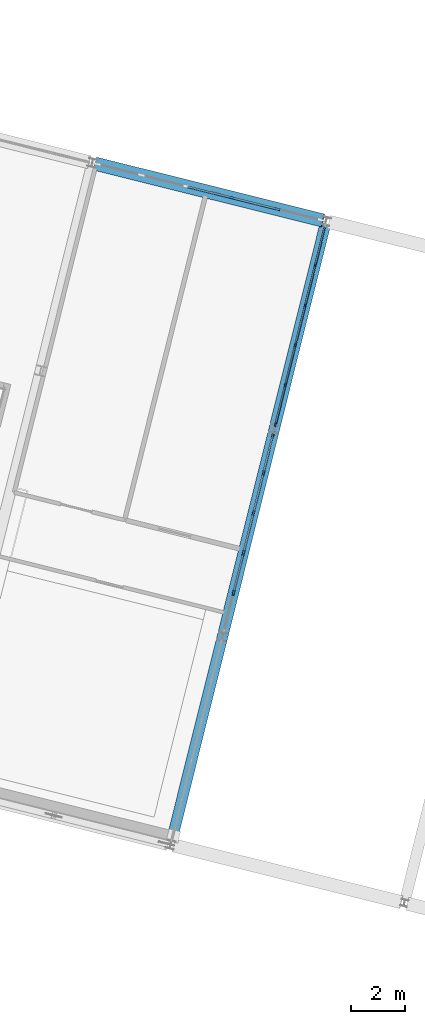
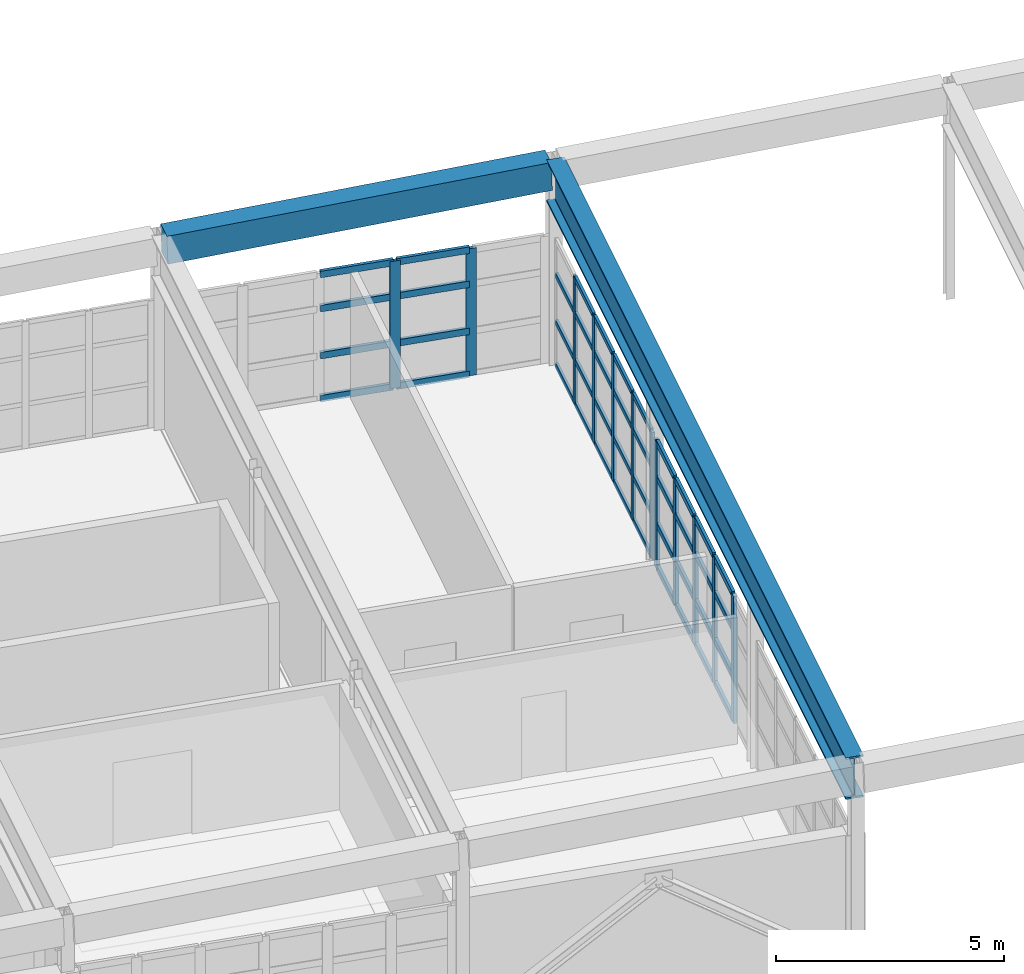
# One storey, part 14 of 27: 55 members, 2 beams, 3 elements without a shape of their own.
"""IFC4 building model written with IfcOpenShell, lengths in metres."""

from ifc_helpers import new_model, si_unit, direction, frame, origin, origin_2d, place, context, subcontext, project, spatial, rectangle, i_section, extrude, material, layer, layer_set, material_profile, profile_set, type_object, element, aggregate, save


model = new_model("IFC4")

# Units and contexts
model_context = context("Model", 3, precision=1e-05, world=origin(), true_north=direction((0.0, 1.0)))
body_context = subcontext(model_context, "Body", "Model", "MODEL_VIEW")
ifc_project = project(units=[si_unit("LENGTHUNIT", "METRE"), si_unit("AREAUNIT", "SQUARE_METRE"), si_unit("VOLUMEUNIT", "CUBIC_METRE"), si_unit("PLANEANGLEUNIT", "RADIAN"), si_unit("MASSUNIT", "GRAM", prefix="KILO")], contexts=[model_context])

# Site, building, storey
site_placement = place(None, origin())
site = spatial("IfcSite", under=ifc_project, at=site_placement, CompositionType="ELEMENT")
building_placement = place(site_placement, origin())
building = spatial("IfcBuilding", under=site, at=building_placement, Name="Vireo Bluff Cable Station", CompositionType="ELEMENT")
storey_placement = place(building_placement, frame((0.0, 0.0, 19.199951171875)))
storey = spatial("IfcBuildingStorey", under=building, at=storey_placement, Name="L04", CompositionType="ELEMENT", Elevation=19.199951171875)

# Curtain wall, members
ifc_material_1 = material(Name="Anodized Aluminium 6063-T6", Category="aluminium")
ifc_layer_1 = layer(ifc_material_1, 0.179931640625, Name="Anodized Aluminium 6063-T6")
ifc_layer_set_1 = layer_set([ifc_layer_1], Name="Anodized Aluminium 6063-T6")
curtain_wall_type_1 = type_object("IfcCurtainWallType", Name="CW-UNIT-1400", PredefinedType="USERDEFINED", material=ifc_layer_set_1)
curtain_wall_1_placement = place(storey_placement, origin())
curtain_wall_1 = element("IfcCurtainWall", 1, at=curtain_wall_1_placement, inside=storey, type_object=curtain_wall_type_1, Name="V1 L04 east curtain wall CW-036", ObjectType="UNITISED CURTAIN WALL", PredefinedType="USERDEFINED")
ifc_material_profile_1 = material_profile(ifc_material_1, rectangle(XDim=0.06494140625, YDim=0.179931640625, at=origin_2d()), Name="ALU-M-65X180")
ifc_profile_set_1 = profile_set([ifc_material_profile_1], Name="Anodized Aluminium 6063-T6")
member_type_1 = type_object("IfcMemberType", Name="CWM-01", PredefinedType="MULLION", material=ifc_profile_set_1)
member_1_placement = place(storey_placement, frame((85.594482421875, 53.1123046875, 0.0), z_axis=(0.0, 0.0, 1.0), x_axis=(0.970295741396, -0.241921834956, 0.0)))
member_1 = element("IfcMember", 2, at=member_1_placement, type_object=member_type_1, Name="CW-036 mullion 2", PredefinedType="MULLION", context=body_context, shape_type="SweptSolid", body=[
    extrude(rectangle(XDim=0.06494140625, YDim=0.179931640625, at=origin_2d()), origin(), (0.0, 0.0, 1.0), 3.400146484375),
])
member_2_placement = place(storey_placement, frame((85.222412109375, 51.6201171875, 0.0), z_axis=(0.0, 0.0, 1.0), x_axis=(0.970295741396, -0.241921834956, 0.0)))
member_2 = element("IfcMember", 3, at=member_2_placement, type_object=member_type_1, Name="CW-036 mullion 3", PredefinedType="MULLION", context=body_context, shape_type="SweptSolid", body=[
    extrude(rectangle(XDim=0.06494140625, YDim=0.179931640625, at=origin_2d()), origin(), (0.0, 0.0, 1.0), 3.400146484375),
])
member_3_placement = place(storey_placement, frame((84.850341796875, 50.1279296875, 0.0), z_axis=(0.0, 0.0, 1.0), x_axis=(0.970295741396, -0.241921834956, 0.0)))
member_3 = element("IfcMember", 4, at=member_3_placement, type_object=member_type_1, Name="CW-036 mullion 4", PredefinedType="MULLION", context=body_context, shape_type="SweptSolid", body=[
    extrude(rectangle(XDim=0.06494140625, YDim=0.179931640625, at=origin_2d()), origin(), (0.0, 0.0, 1.0), 3.400146484375),
])
member_4_placement = place(storey_placement, frame((84.478271484375, 48.6357421875, 0.0), z_axis=(0.0, 0.0, 1.0), x_axis=(0.970295741396, -0.241921834956, 0.0)))
member_4 = element("IfcMember", 5, at=member_4_placement, type_object=member_type_1, Name="CW-036 mullion 5", PredefinedType="MULLION", context=body_context, shape_type="SweptSolid", body=[
    extrude(rectangle(XDim=0.06494140625, YDim=0.179931640625, at=origin_2d()), origin(), (0.0, 0.0, 1.0), 3.400146484375),
])
member_5_placement = place(storey_placement, frame((84.1142578125, 47.17529296875, 0.0), z_axis=(0.0, 0.0, 1.0), x_axis=(0.970295741396, -0.241921834956, 0.0)))
member_5 = element("IfcMember", 6, at=member_5_placement, type_object=member_type_1, Name="CW-036 mullion 6", PredefinedType="MULLION", context=body_context, shape_type="SweptSolid", body=[
    extrude(rectangle(XDim=0.06494140625, YDim=0.179931640625, at=origin_2d()), origin(), (0.0, 0.0, 1.0), 3.400146484375),
])

ifc_layer_2 = layer(ifc_material_1, 0.179931640625, Name="Anodized Aluminium 6063-T6")
ifc_layer_set_2 = layer_set([ifc_layer_2], Name="Anodized Aluminium 6063-T6")
curtain_wall_type_2 = type_object("IfcCurtainWallType", Name="CW-UNIT-1500", PredefinedType="USERDEFINED", material=ifc_layer_set_2)
curtain_wall_2_placement = place(storey_placement, origin())
curtain_wall_2 = element("IfcCurtainWall", 7, at=curtain_wall_2_placement, inside=storey, type_object=curtain_wall_type_2, Name="V1 L04 east curtain wall CW-037", ObjectType="UNITISED CURTAIN WALL", PredefinedType="USERDEFINED")
ifc_material_profile_2 = material_profile(ifc_material_1, rectangle(XDim=0.074951171875, YDim=0.2099609375, at=origin_2d()), Name="ALU-M-75X210")
ifc_profile_set_2 = profile_set([ifc_material_profile_2], Name="Anodized Aluminium 6063-T6")
member_type_2 = type_object("IfcMemberType", Name="CWM-02", PredefinedType="MULLION", material=ifc_profile_set_2)
member_6_placement = place(storey_placement, frame((84.02197265625, 46.8056640625, 0.0), z_axis=(0.0, 0.0, 1.0), x_axis=(0.970295733788, -0.241921865473, 0.0)))
member_6 = element("IfcMember", 8, at=member_6_placement, type_object=member_type_2, Name="CW-037 mullion 1", PredefinedType="MULLION", context=body_context, shape_type="SweptSolid", body=[
    extrude(rectangle(XDim=0.074951171875, YDim=0.2099609375, at=origin_2d()), origin(), (0.0, 0.0, 1.0), 3.400146484375),
])
member_7_placement = place(storey_placement, frame((83.6591796875, 45.349853515625, 0.0), z_axis=(0.0, 0.0, 1.0), x_axis=(0.970295733788, -0.241921865473, 0.0)))
member_7 = element("IfcMember", 9, at=member_7_placement, type_object=member_type_2, Name="CW-037 mullion 2", PredefinedType="MULLION", context=body_context, shape_type="SweptSolid", body=[
    extrude(rectangle(XDim=0.074951171875, YDim=0.2099609375, at=origin_2d()), origin(), (0.0, 0.0, 1.0), 3.400146484375),
])
member_8_placement = place(storey_placement, frame((83.287109375, 43.857666015625, 0.0), z_axis=(0.0, 0.0, 1.0), x_axis=(0.970295733788, -0.241921865473, 0.0)))
member_8 = element("IfcMember", 10, at=member_8_placement, type_object=member_type_2, Name="CW-037 mullion 3", PredefinedType="MULLION", context=body_context, shape_type="SweptSolid", body=[
    extrude(rectangle(XDim=0.074951171875, YDim=0.2099609375, at=origin_2d()), origin(), (0.0, 0.0, 1.0), 3.400146484375),
])
member_9_placement = place(storey_placement, frame((82.9150390625, 42.365478515625, 0.0), z_axis=(0.0, 0.0, 1.0), x_axis=(0.970295733788, -0.241921865473, 0.0)))
member_9 = element("IfcMember", 11, at=member_9_placement, type_object=member_type_2, Name="CW-037 mullion 4", PredefinedType="MULLION", context=body_context, shape_type="SweptSolid", body=[
    extrude(rectangle(XDim=0.074951171875, YDim=0.2099609375, at=origin_2d()), origin(), (0.0, 0.0, 1.0), 3.400146484375),
])
member_10_placement = place(storey_placement, frame((82.54296875, 40.87353515625, 0.0), z_axis=(0.0, 0.0, 1.0), x_axis=(0.970295733788, -0.241921865473, 0.0)))
member_10 = element("IfcMember", 12, at=member_10_placement, type_object=member_type_2, Name="CW-037 mullion 5", PredefinedType="MULLION", context=body_context, shape_type="SweptSolid", body=[
    extrude(rectangle(XDim=0.074951171875, YDim=0.2099609375, at=origin_2d()), origin(), (0.0, 0.0, 1.0), 3.400146484375),
])

ifc_layer_3 = layer(ifc_material_1, 0.179931640625, Name="Anodized Aluminium 6063-T6")
ifc_layer_set_3 = layer_set([ifc_layer_3], Name="Anodized Aluminium 6063-T6")
curtain_wall_type_3 = type_object("IfcCurtainWallType", Name="CW-UNIT-1650", PredefinedType="USERDEFINED", material=ifc_layer_set_3)
curtain_wall_3_placement = place(storey_placement, origin())
curtain_wall_3 = element("IfcCurtainWall", 13, at=curtain_wall_3_placement, inside=storey, type_object=curtain_wall_type_3, Name="V1 L04 north curtain wall CW-035", ObjectType="UNITISED CURTAIN WALL", PredefinedType="USERDEFINED")
ifc_material_profile_3 = material_profile(ifc_material_1, rectangle(XDim=0.080078125, YDim=0.239990234375, at=origin_2d()), Name="ALU-M-80X240")
ifc_profile_set_3 = profile_set([ifc_material_profile_3], Name="Anodized Aluminium 6063-T6")
member_type_3 = type_object("IfcMemberType", Name="CWM-04", PredefinedType="MULLION", material=ifc_profile_set_3)
member_11_placement = place(storey_placement, frame((82.48095703125, 55.633544921875, 0.0), z_axis=(0.0, 0.0, 1.0), x_axis=(0.241921878749, 0.970295730477, 0.0)))
member_11 = element("IfcMember", 14, at=member_11_placement, type_object=member_type_3, Name="CW-035 mullion 4", PredefinedType="MULLION", context=body_context, shape_type="SweptSolid", body=[
    extrude(rectangle(XDim=0.080078125, YDim=0.239990234375, at=origin_2d()), origin(), (0.0, 0.0, 1.0), 3.400146484375),
])
member_12_placement = place(storey_placement, frame((84.167724609375, 55.213134765625, 0.0), z_axis=(0.0, 0.0, 1.0), x_axis=(0.241921878749, 0.970295730477, 0.0)))
member_12 = element("IfcMember", 15, at=member_12_placement, type_object=member_type_3, Name="CW-035 mullion 5", PredefinedType="MULLION", context=body_context, shape_type="SweptSolid", body=[
    extrude(rectangle(XDim=0.080078125, YDim=0.239990234375, at=origin_2d()), origin(), (0.0, 0.0, 1.0), 3.400146484375),
])

# Member
ifc_material_profile_4 = material_profile(ifc_material_1, rectangle(XDim=0.06494140625, YDim=0.139892578125, at=origin_2d()), Name="ALU-T-65X140")
ifc_profile_set_4 = profile_set([ifc_material_profile_4], Name="Anodized Aluminium 6063-T6")
member_type_4 = type_object("IfcMemberType", Name="CWT-01", PredefinedType="USERDEFINED", material=ifc_profile_set_4)
member_13_placement = place(storey_placement, frame((85.95068359375, 54.541259765625, 0.032470703125), z_axis=(-0.241897399777, -0.970301833442, 0.0), x_axis=(0.970301833442, -0.241897399777, 0.0)))
member_13 = element("IfcMember", 16, at=member_13_placement, type_object=member_type_4, Name="CW-036 transom 1.1", ObjectType="TRANSOM", PredefinedType="USERDEFINED", context=body_context, shape_type="SweptSolid", body=[
    extrude(rectangle(XDim=0.06494140625, YDim=0.139892578125, at=origin_2d()), origin(), (0.0, 0.0, 1.0), 1.440185546875),
])

member_14_placement = place(storey_placement, frame((85.95068359375, 54.541259765625, 1.18994140625), z_axis=(-0.241897399777, -0.970301833442, 0.0), x_axis=(0.970301833442, -0.241897399777, 0.0)))
member_14 = element("IfcMember", 17, at=member_14_placement, type_object=member_type_4, Name="CW-036 transom 1.2", ObjectType="TRANSOM", PredefinedType="USERDEFINED", context=body_context, shape_type="SweptSolid", body=[
    extrude(rectangle(XDim=0.06494140625, YDim=0.139892578125, at=origin_2d()), origin(), (0.0, 0.0, 1.0), 1.440185546875),
])

member_15_placement = place(storey_placement, frame((85.95068359375, 54.541259765625, 2.447998046875), z_axis=(-0.241897399777, -0.970301833442, 0.0), x_axis=(0.970301833442, -0.241897399777, 0.0)))
member_15 = element("IfcMember", 18, at=member_15_placement, type_object=member_type_4, Name="CW-036 transom 1.3", ObjectType="TRANSOM", PredefinedType="USERDEFINED", context=body_context, shape_type="SweptSolid", body=[
    extrude(rectangle(XDim=0.06494140625, YDim=0.139892578125, at=origin_2d()), origin(), (0.0, 0.0, 1.0), 1.440185546875),
])

member_16_placement = place(storey_placement, frame((85.586669921875, 53.08056640625, 0.032470703125), z_axis=(-0.242028521676, -0.970269135186, 0.0), x_axis=(0.970269135186, -0.242028521676, 0.0)))
member_16 = element("IfcMember", 19, at=member_16_placement, type_object=member_type_4, Name="CW-036 transom 2.1", ObjectType="TRANSOM", PredefinedType="USERDEFINED", context=body_context, shape_type="SweptSolid", body=[
    extrude(rectangle(XDim=0.06494140625, YDim=0.139892578125, at=origin_2d()), origin(), (0.0, 0.0, 1.0), 1.47265625),
])

member_17_placement = place(storey_placement, frame((85.586669921875, 53.08056640625, 1.18994140625), z_axis=(-0.242028521676, -0.970269135186, 0.0), x_axis=(0.970269135186, -0.242028521676, 0.0)))
member_17 = element("IfcMember", 20, at=member_17_placement, type_object=member_type_4, Name="CW-036 transom 2.2", ObjectType="TRANSOM", PredefinedType="USERDEFINED", context=body_context, shape_type="SweptSolid", body=[
    extrude(rectangle(XDim=0.06494140625, YDim=0.139892578125, at=origin_2d()), origin(), (0.0, 0.0, 1.0), 1.47265625),
])

member_18_placement = place(storey_placement, frame((85.586669921875, 53.08056640625, 2.447998046875), z_axis=(-0.242028521676, -0.970269135186, 0.0), x_axis=(0.970269135186, -0.242028521676, 0.0)))
member_18 = element("IfcMember", 21, at=member_18_placement, type_object=member_type_4, Name="CW-036 transom 2.3", ObjectType="TRANSOM", PredefinedType="USERDEFINED", context=body_context, shape_type="SweptSolid", body=[
    extrude(rectangle(XDim=0.06494140625, YDim=0.139892578125, at=origin_2d()), origin(), (0.0, 0.0, 1.0), 1.47265625),
])

member_19_placement = place(storey_placement, frame((85.586669921875, 53.08056640625, 3.367431640625), z_axis=(-0.242028521676, -0.970269135186, 0.0), x_axis=(0.970269135186, -0.242028521676, 0.0)))
member_19 = element("IfcMember", 22, at=member_19_placement, type_object=member_type_4, Name="CW-036 transom 2.4", ObjectType="TRANSOM", PredefinedType="USERDEFINED", context=body_context, shape_type="SweptSolid", body=[
    extrude(rectangle(XDim=0.06494140625, YDim=0.139892578125, at=origin_2d()), origin(), (0.0, 0.0, 1.0), 1.47265625),
])

member_20_placement = place(storey_placement, frame((85.214599609375, 51.588623046875, 0.032470703125), z_axis=(-0.241989598813, -0.97027884346, 0.0), x_axis=(0.97027884346, -0.241989598813, 0.0)))
member_20 = element("IfcMember", 23, at=member_20_placement, type_object=member_type_4, Name="CW-036 transom 3.1", ObjectType="TRANSOM", PredefinedType="USERDEFINED", context=body_context, shape_type="SweptSolid", body=[
    extrude(rectangle(XDim=0.06494140625, YDim=0.139892578125, at=origin_2d()), origin(), (0.0, 0.0, 1.0), 1.472900390625),
])

member_21_placement = place(storey_placement, frame((85.214599609375, 51.588623046875, 1.18994140625), z_axis=(-0.241989598813, -0.97027884346, 0.0), x_axis=(0.97027884346, -0.241989598813, 0.0)))
member_21 = element("IfcMember", 24, at=member_21_placement, type_object=member_type_4, Name="CW-036 transom 3.2", ObjectType="TRANSOM", PredefinedType="USERDEFINED", context=body_context, shape_type="SweptSolid", body=[
    extrude(rectangle(XDim=0.06494140625, YDim=0.139892578125, at=origin_2d()), origin(), (0.0, 0.0, 1.0), 1.472900390625),
])

member_22_placement = place(storey_placement, frame((85.214599609375, 51.588623046875, 2.447998046875), z_axis=(-0.241989598813, -0.97027884346, 0.0), x_axis=(0.97027884346, -0.241989598813, 0.0)))
member_22 = element("IfcMember", 25, at=member_22_placement, type_object=member_type_4, Name="CW-036 transom 3.3", ObjectType="TRANSOM", PredefinedType="USERDEFINED", context=body_context, shape_type="SweptSolid", body=[
    extrude(rectangle(XDim=0.06494140625, YDim=0.139892578125, at=origin_2d()), origin(), (0.0, 0.0, 1.0), 1.472900390625),
])

member_23_placement = place(storey_placement, frame((85.214599609375, 51.588623046875, 3.367431640625), z_axis=(-0.241989598813, -0.97027884346, 0.0), x_axis=(0.97027884346, -0.241989598813, 0.0)))
member_23 = element("IfcMember", 26, at=member_23_placement, type_object=member_type_4, Name="CW-036 transom 3.4", ObjectType="TRANSOM", PredefinedType="USERDEFINED", context=body_context, shape_type="SweptSolid", body=[
    extrude(rectangle(XDim=0.06494140625, YDim=0.139892578125, at=origin_2d()), origin(), (0.0, 0.0, 1.0), 1.472900390625),
])

member_24_placement = place(storey_placement, frame((84.842529296875, 50.096435546875, 0.032470703125), z_axis=(-0.241872449942, -0.970308053125, 0.0), x_axis=(0.970308053125, -0.241872449942, 0.0)))
member_24 = element("IfcMember", 27, at=member_24_placement, type_object=member_type_4, Name="CW-036 transom 4.1", ObjectType="TRANSOM", PredefinedType="USERDEFINED", context=body_context, shape_type="SweptSolid", body=[
    extrude(rectangle(XDim=0.06494140625, YDim=0.139892578125, at=origin_2d()), origin(), (0.0, 0.0, 1.0), 1.47265625),
])

member_25_placement = place(storey_placement, frame((84.842529296875, 50.096435546875, 1.18994140625), z_axis=(-0.241872449942, -0.970308053125, 0.0), x_axis=(0.970308053125, -0.241872449942, 0.0)))
member_25 = element("IfcMember", 28, at=member_25_placement, type_object=member_type_4, Name="CW-036 transom 4.2", ObjectType="TRANSOM", PredefinedType="USERDEFINED", context=body_context, shape_type="SweptSolid", body=[
    extrude(rectangle(XDim=0.06494140625, YDim=0.139892578125, at=origin_2d()), origin(), (0.0, 0.0, 1.0), 1.47265625),
])

member_26_placement = place(storey_placement, frame((84.842529296875, 50.096435546875, 2.447998046875), z_axis=(-0.241872449942, -0.970308053125, 0.0), x_axis=(0.970308053125, -0.241872449942, 0.0)))
member_26 = element("IfcMember", 29, at=member_26_placement, type_object=member_type_4, Name="CW-036 transom 4.3", ObjectType="TRANSOM", PredefinedType="USERDEFINED", context=body_context, shape_type="SweptSolid", body=[
    extrude(rectangle(XDim=0.06494140625, YDim=0.139892578125, at=origin_2d()), origin(), (0.0, 0.0, 1.0), 1.47265625),
])

member_27_placement = place(storey_placement, frame((84.842529296875, 50.096435546875, 3.367431640625), z_axis=(-0.241872449942, -0.970308053125, 0.0), x_axis=(0.970308053125, -0.241872449942, 0.0)))
member_27 = element("IfcMember", 30, at=member_27_placement, type_object=member_type_4, Name="CW-036 transom 4.4", ObjectType="TRANSOM", PredefinedType="USERDEFINED", context=body_context, shape_type="SweptSolid", body=[
    extrude(rectangle(XDim=0.06494140625, YDim=0.139892578125, at=origin_2d()), origin(), (0.0, 0.0, 1.0), 1.47265625),
])

member_28_placement = place(storey_placement, frame((84.470458984375, 48.604248046875, 0.032470703125), z_axis=(-0.241897399777, -0.970301833442, 0.0), x_axis=(0.970301833442, -0.241897399777, 0.0)))
member_28 = element("IfcMember", 31, at=member_28_placement, type_object=member_type_4, Name="CW-036 transom 5.1", ObjectType="TRANSOM", PredefinedType="USERDEFINED", context=body_context, shape_type="SweptSolid", body=[
    extrude(rectangle(XDim=0.06494140625, YDim=0.139892578125, at=origin_2d()), origin(), (0.0, 0.0, 1.0), 1.440185546875),
])

member_29_placement = place(storey_placement, frame((84.470458984375, 48.604248046875, 1.18994140625), z_axis=(-0.241897399777, -0.970301833442, 0.0), x_axis=(0.970301833442, -0.241897399777, 0.0)))
member_29 = element("IfcMember", 32, at=member_29_placement, type_object=member_type_4, Name="CW-036 transom 5.2", ObjectType="TRANSOM", PredefinedType="USERDEFINED", context=body_context, shape_type="SweptSolid", body=[
    extrude(rectangle(XDim=0.06494140625, YDim=0.139892578125, at=origin_2d()), origin(), (0.0, 0.0, 1.0), 1.440185546875),
])

member_30_placement = place(storey_placement, frame((84.470458984375, 48.604248046875, 2.447998046875), z_axis=(-0.241897399777, -0.970301833442, 0.0), x_axis=(0.970301833442, -0.241897399777, 0.0)))
member_30 = element("IfcMember", 33, at=member_30_placement, type_object=member_type_4, Name="CW-036 transom 5.3", ObjectType="TRANSOM", PredefinedType="USERDEFINED", context=body_context, shape_type="SweptSolid", body=[
    extrude(rectangle(XDim=0.06494140625, YDim=0.139892578125, at=origin_2d()), origin(), (0.0, 0.0, 1.0), 1.440185546875),
])

member_31_placement = place(storey_placement, frame((84.470458984375, 48.604248046875, 3.367431640625), z_axis=(-0.241897399777, -0.970301833442, 0.0), x_axis=(0.970301833442, -0.241897399777, 0.0)))
member_31 = element("IfcMember", 34, at=member_31_placement, type_object=member_type_4, Name="CW-036 transom 5.4", ObjectType="TRANSOM", PredefinedType="USERDEFINED", context=body_context, shape_type="SweptSolid", body=[
    extrude(rectangle(XDim=0.06494140625, YDim=0.139892578125, at=origin_2d()), origin(), (0.0, 0.0, 1.0), 1.440185546875),
])

aggregate(curtain_wall_1, [member_1, member_2, member_3, member_4, member_5, member_13, member_14, member_15, member_16, member_17, member_18, member_19, member_20, member_21, member_22, member_23, member_24, member_25, member_26, member_27, member_28, member_29, member_30, member_31])

ifc_material_profile_5 = material_profile(ifc_material_1, rectangle(XDim=0.074951171875, YDim=0.159912109375, at=origin_2d()), Name="ALU-T-75X160")
ifc_profile_set_5 = profile_set([ifc_material_profile_5], Name="Anodized Aluminium 6063-T6")
member_type_5 = type_object("IfcMemberType", Name="CWT-02", PredefinedType="USERDEFINED", material=ifc_profile_set_5)
member_32_placement = place(storey_placement, frame((84.012939453125, 46.769287109375, 0.03759765625), z_axis=(-0.241850435842, -0.9703135404, 0.0), x_axis=(0.9703135404, -0.241850435842, 0.0)))
member_32 = element("IfcMember", 35, at=member_32_placement, type_object=member_type_5, Name="CW-037 transom 1.1", ObjectType="TRANSOM", PredefinedType="USERDEFINED", context=body_context, shape_type="SweptSolid", body=[
    extrude(rectangle(XDim=0.074951171875, YDim=0.159912109375, at=origin_2d()), origin(), (0.0, 0.0, 1.0), 1.42529296875),
])

member_33_placement = place(storey_placement, frame((84.012939453125, 46.769287109375, 1.18994140625), z_axis=(-0.241850435842, -0.9703135404, 0.0), x_axis=(0.9703135404, -0.241850435842, 0.0)))
member_33 = element("IfcMember", 36, at=member_33_placement, type_object=member_type_5, Name="CW-037 transom 1.2", ObjectType="TRANSOM", PredefinedType="USERDEFINED", context=body_context, shape_type="SweptSolid", body=[
    extrude(rectangle(XDim=0.074951171875, YDim=0.159912109375, at=origin_2d()), origin(), (0.0, 0.0, 1.0), 1.42529296875),
])

member_34_placement = place(storey_placement, frame((84.012939453125, 46.769287109375, 2.447998046875), z_axis=(-0.241850435842, -0.9703135404, 0.0), x_axis=(0.9703135404, -0.241850435842, 0.0)))
member_34 = element("IfcMember", 37, at=member_34_placement, type_object=member_type_5, Name="CW-037 transom 1.3", ObjectType="TRANSOM", PredefinedType="USERDEFINED", context=body_context, shape_type="SweptSolid", body=[
    extrude(rectangle(XDim=0.074951171875, YDim=0.159912109375, at=origin_2d()), origin(), (0.0, 0.0, 1.0), 1.42529296875),
])

member_35_placement = place(storey_placement, frame((84.012939453125, 46.769287109375, 3.362548828125), z_axis=(-0.241850435842, -0.9703135404, 0.0), x_axis=(0.9703135404, -0.241850435842, 0.0)))
member_35 = element("IfcMember", 38, at=member_35_placement, type_object=member_type_5, Name="CW-037 transom 1.4", ObjectType="TRANSOM", PredefinedType="USERDEFINED", context=body_context, shape_type="SweptSolid", body=[
    extrude(rectangle(XDim=0.074951171875, YDim=0.159912109375, at=origin_2d()), origin(), (0.0, 0.0, 1.0), 1.42529296875),
])

member_36_placement = place(storey_placement, frame((83.64990234375, 45.3134765625, 0.03759765625), z_axis=(-0.241828717497, -0.970318953434, 0.0), x_axis=(0.970318953434, -0.241828717497, 0.0)))
member_36 = element("IfcMember", 39, at=member_36_placement, type_object=member_type_5, Name="CW-037 transom 2.1", ObjectType="TRANSOM", PredefinedType="USERDEFINED", context=body_context, shape_type="SweptSolid", body=[
    extrude(rectangle(XDim=0.074951171875, YDim=0.159912109375, at=origin_2d()), origin(), (0.0, 0.0, 1.0), 1.462890625),
])

member_37_placement = place(storey_placement, frame((83.64990234375, 45.3134765625, 1.18994140625), z_axis=(-0.241828717497, -0.970318953434, 0.0), x_axis=(0.970318953434, -0.241828717497, 0.0)))
member_37 = element("IfcMember", 40, at=member_37_placement, type_object=member_type_5, Name="CW-037 transom 2.2", ObjectType="TRANSOM", PredefinedType="USERDEFINED", context=body_context, shape_type="SweptSolid", body=[
    extrude(rectangle(XDim=0.074951171875, YDim=0.159912109375, at=origin_2d()), origin(), (0.0, 0.0, 1.0), 1.462890625),
])

member_38_placement = place(storey_placement, frame((83.64990234375, 45.3134765625, 2.447998046875), z_axis=(-0.241828717497, -0.970318953434, 0.0), x_axis=(0.970318953434, -0.241828717497, 0.0)))
member_38 = element("IfcMember", 41, at=member_38_placement, type_object=member_type_5, Name="CW-037 transom 2.3", ObjectType="TRANSOM", PredefinedType="USERDEFINED", context=body_context, shape_type="SweptSolid", body=[
    extrude(rectangle(XDim=0.074951171875, YDim=0.159912109375, at=origin_2d()), origin(), (0.0, 0.0, 1.0), 1.462890625),
])

member_39_placement = place(storey_placement, frame((83.64990234375, 45.3134765625, 3.362548828125), z_axis=(-0.241828717497, -0.970318953434, 0.0), x_axis=(0.970318953434, -0.241828717497, 0.0)))
member_39 = element("IfcMember", 42, at=member_39_placement, type_object=member_type_5, Name="CW-037 transom 2.4", ObjectType="TRANSOM", PredefinedType="USERDEFINED", context=body_context, shape_type="SweptSolid", body=[
    extrude(rectangle(XDim=0.074951171875, YDim=0.159912109375, at=origin_2d()), origin(), (0.0, 0.0, 1.0), 1.462890625),
])

member_40_placement = place(storey_placement, frame((83.278076171875, 43.8212890625, 0.03759765625), z_axis=(-0.242025031545, -0.970270005774, 0.0), x_axis=(0.970270005774, -0.242025031545, 0.0)))
member_40 = element("IfcMember", 43, at=member_40_placement, type_object=member_type_5, Name="CW-037 transom 3.1", ObjectType="TRANSOM", PredefinedType="USERDEFINED", context=body_context, shape_type="SweptSolid", body=[
    extrude(rectangle(XDim=0.074951171875, YDim=0.159912109375, at=origin_2d()), origin(), (0.0, 0.0, 1.0), 1.462646484375),
])

member_41_placement = place(storey_placement, frame((83.278076171875, 43.8212890625, 1.18994140625), z_axis=(-0.242025031545, -0.970270005774, 0.0), x_axis=(0.970270005774, -0.242025031545, 0.0)))
member_41 = element("IfcMember", 44, at=member_41_placement, type_object=member_type_5, Name="CW-037 transom 3.2", ObjectType="TRANSOM", PredefinedType="USERDEFINED", context=body_context, shape_type="SweptSolid", body=[
    extrude(rectangle(XDim=0.074951171875, YDim=0.159912109375, at=origin_2d()), origin(), (0.0, 0.0, 1.0), 1.462646484375),
])

member_42_placement = place(storey_placement, frame((83.278076171875, 43.8212890625, 2.447998046875), z_axis=(-0.242025031545, -0.970270005774, 0.0), x_axis=(0.970270005774, -0.242025031545, 0.0)))
member_42 = element("IfcMember", 45, at=member_42_placement, type_object=member_type_5, Name="CW-037 transom 3.3", ObjectType="TRANSOM", PredefinedType="USERDEFINED", context=body_context, shape_type="SweptSolid", body=[
    extrude(rectangle(XDim=0.074951171875, YDim=0.159912109375, at=origin_2d()), origin(), (0.0, 0.0, 1.0), 1.462646484375),
])

member_43_placement = place(storey_placement, frame((83.278076171875, 43.8212890625, 3.362548828125), z_axis=(-0.242025031545, -0.970270005774, 0.0), x_axis=(0.970270005774, -0.242025031545, 0.0)))
member_43 = element("IfcMember", 46, at=member_43_placement, type_object=member_type_5, Name="CW-037 transom 3.4", ObjectType="TRANSOM", PredefinedType="USERDEFINED", context=body_context, shape_type="SweptSolid", body=[
    extrude(rectangle(XDim=0.074951171875, YDim=0.159912109375, at=origin_2d()), origin(), (0.0, 0.0, 1.0), 1.462646484375),
])

member_44_placement = place(storey_placement, frame((82.906005859375, 42.3291015625, 0.03759765625), z_axis=(-0.242025031545, -0.970270005774, 0.0), x_axis=(0.970270005774, -0.242025031545, 0.0)))
member_44 = element("IfcMember", 47, at=member_44_placement, type_object=member_type_5, Name="CW-037 transom 4.1", ObjectType="TRANSOM", PredefinedType="USERDEFINED", context=body_context, shape_type="SweptSolid", body=[
    extrude(rectangle(XDim=0.074951171875, YDim=0.159912109375, at=origin_2d()), origin(), (0.0, 0.0, 1.0), 1.462646484375),
])

member_45_placement = place(storey_placement, frame((82.906005859375, 42.3291015625, 1.18994140625), z_axis=(-0.242025031545, -0.970270005774, 0.0), x_axis=(0.970270005774, -0.242025031545, 0.0)))
member_45 = element("IfcMember", 48, at=member_45_placement, type_object=member_type_5, Name="CW-037 transom 4.2", ObjectType="TRANSOM", PredefinedType="USERDEFINED", context=body_context, shape_type="SweptSolid", body=[
    extrude(rectangle(XDim=0.074951171875, YDim=0.159912109375, at=origin_2d()), origin(), (0.0, 0.0, 1.0), 1.462646484375),
])

member_46_placement = place(storey_placement, frame((82.906005859375, 42.3291015625, 2.447998046875), z_axis=(-0.242025031545, -0.970270005774, 0.0), x_axis=(0.970270005774, -0.242025031545, 0.0)))
member_46 = element("IfcMember", 49, at=member_46_placement, type_object=member_type_5, Name="CW-037 transom 4.3", ObjectType="TRANSOM", PredefinedType="USERDEFINED", context=body_context, shape_type="SweptSolid", body=[
    extrude(rectangle(XDim=0.074951171875, YDim=0.159912109375, at=origin_2d()), origin(), (0.0, 0.0, 1.0), 1.462646484375),
])

member_47_placement = place(storey_placement, frame((82.906005859375, 42.3291015625, 3.362548828125), z_axis=(-0.242025031545, -0.970270005774, 0.0), x_axis=(0.970270005774, -0.242025031545, 0.0)))
member_47 = element("IfcMember", 50, at=member_47_placement, type_object=member_type_5, Name="CW-037 transom 4.4", ObjectType="TRANSOM", PredefinedType="USERDEFINED", context=body_context, shape_type="SweptSolid", body=[
    extrude(rectangle(XDim=0.074951171875, YDim=0.159912109375, at=origin_2d()), origin(), (0.0, 0.0, 1.0), 1.462646484375),
])

aggregate(curtain_wall_2, [member_6, member_7, member_8, member_9, member_10, member_32, member_33, member_34, member_35, member_36, member_37, member_38, member_39, member_40, member_41, member_42, member_43, member_44, member_45, member_46, member_47])

ifc_material_profile_6 = material_profile(ifc_material_1, rectangle(XDim=0.080078125, YDim=0.175048828125, at=origin_2d()), Name="ALU-T-80X175")
ifc_profile_set_6 = profile_set([ifc_material_profile_6], Name="Anodized Aluminium 6063-T6")
member_type_6 = type_object("IfcMemberType", Name="CWT-04", PredefinedType="USERDEFINED", material=ifc_profile_set_6)
member_48_placement = place(storey_placement, frame((80.833251953125, 56.04443359375, 0.0400390625), z_axis=(0.970298198748, -0.241911978838, 0.0), x_axis=(0.241911978838, 0.970298198748, 0.0)))
member_48 = element("IfcMember", 51, at=member_48_placement, type_object=member_type_6, Name="CW-035 transom 3.1", ObjectType="TRANSOM", PredefinedType="USERDEFINED", context=body_context, shape_type="SweptSolid", body=[
    extrude(rectangle(XDim=0.080078125, YDim=0.175048828125, at=origin_2d()), origin(), (0.0, 0.0, 1.0), 1.658203125),
])

member_49_placement = place(storey_placement, frame((80.833251953125, 56.04443359375, 1.18994140625), z_axis=(0.970298198748, -0.241911978838, 0.0), x_axis=(0.241911978838, 0.970298198748, 0.0)))
member_49 = element("IfcMember", 52, at=member_49_placement, type_object=member_type_6, Name="CW-035 transom 3.2", ObjectType="TRANSOM", PredefinedType="USERDEFINED", context=body_context, shape_type="SweptSolid", body=[
    extrude(rectangle(XDim=0.080078125, YDim=0.175048828125, at=origin_2d()), origin(), (0.0, 0.0, 1.0), 1.658203125),
])

member_50_placement = place(storey_placement, frame((80.833251953125, 56.04443359375, 2.447998046875), z_axis=(0.970298198748, -0.241911978838, 0.0), x_axis=(0.241911978838, 0.970298198748, 0.0)))
member_50 = element("IfcMember", 53, at=member_50_placement, type_object=member_type_6, Name="CW-035 transom 3.3", ObjectType="TRANSOM", PredefinedType="USERDEFINED", context=body_context, shape_type="SweptSolid", body=[
    extrude(rectangle(XDim=0.080078125, YDim=0.175048828125, at=origin_2d()), origin(), (0.0, 0.0, 1.0), 1.658203125),
])

member_51_placement = place(storey_placement, frame((80.833251953125, 56.04443359375, 3.360107421875), z_axis=(0.970298198748, -0.241911978838, 0.0), x_axis=(0.241911978838, 0.970298198748, 0.0)))
member_51 = element("IfcMember", 54, at=member_51_placement, type_object=member_type_6, Name="CW-035 transom 3.4", ObjectType="TRANSOM", PredefinedType="USERDEFINED", context=body_context, shape_type="SweptSolid", body=[
    extrude(rectangle(XDim=0.080078125, YDim=0.175048828125, at=origin_2d()), origin(), (0.0, 0.0, 1.0), 1.658203125),
])

member_52_placement = place(storey_placement, frame((82.519775390625, 55.6240234375, 0.0400390625), z_axis=(0.970272253683, -0.24201601958, 0.0), x_axis=(0.24201601958, 0.970272253683, 0.0)))
member_52 = element("IfcMember", 55, at=member_52_placement, type_object=member_type_6, Name="CW-035 transom 4.1", ObjectType="TRANSOM", PredefinedType="USERDEFINED", context=body_context, shape_type="SweptSolid", body=[
    extrude(rectangle(XDim=0.080078125, YDim=0.175048828125, at=origin_2d()), origin(), (0.0, 0.0, 1.0), 1.658447265625),
])

member_53_placement = place(storey_placement, frame((82.519775390625, 55.6240234375, 1.18994140625), z_axis=(0.970272253683, -0.24201601958, 0.0), x_axis=(0.24201601958, 0.970272253683, 0.0)))
member_53 = element("IfcMember", 56, at=member_53_placement, type_object=member_type_6, Name="CW-035 transom 4.2", ObjectType="TRANSOM", PredefinedType="USERDEFINED", context=body_context, shape_type="SweptSolid", body=[
    extrude(rectangle(XDim=0.080078125, YDim=0.175048828125, at=origin_2d()), origin(), (0.0, 0.0, 1.0), 1.658447265625),
])

member_54_placement = place(storey_placement, frame((82.519775390625, 55.6240234375, 2.447998046875), z_axis=(0.970272253683, -0.24201601958, 0.0), x_axis=(0.24201601958, 0.970272253683, 0.0)))
member_54 = element("IfcMember", 57, at=member_54_placement, type_object=member_type_6, Name="CW-035 transom 4.3", ObjectType="TRANSOM", PredefinedType="USERDEFINED", context=body_context, shape_type="SweptSolid", body=[
    extrude(rectangle(XDim=0.080078125, YDim=0.175048828125, at=origin_2d()), origin(), (0.0, 0.0, 1.0), 1.658447265625),
])

member_55_placement = place(storey_placement, frame((82.519775390625, 55.6240234375, 3.360107421875), z_axis=(0.970272253683, -0.24201601958, 0.0), x_axis=(0.24201601958, 0.970272253683, 0.0)))
member_55 = element("IfcMember", 58, at=member_55_placement, type_object=member_type_6, Name="CW-035 transom 4.4", ObjectType="TRANSOM", PredefinedType="USERDEFINED", context=body_context, shape_type="SweptSolid", body=[
    extrude(rectangle(XDim=0.080078125, YDim=0.175048828125, at=origin_2d()), origin(), (0.0, 0.0, 1.0), 1.658447265625),
])

aggregate(curtain_wall_3, [member_11, member_12, member_48, member_49, member_50, member_51, member_52, member_53, member_54, member_55])

# Beams
ifc_material_2 = material(Name="Steel ASTM A992 Gr. 50", Category="steel")
ifc_material_profile_7 = material_profile(ifc_material_2, i_section(OverallWidth=0.404052734375, OverallDepth=1.117919921875, WebThickness=0.026123046875, FlangeThickness=0.044921875, FilletRadius=0.02197265625, at=origin_2d()), Name="W44X335")
ifc_profile_set_7 = profile_set([ifc_material_profile_7], Name="Steel ASTM A992 Gr. 50")
beam_type_1 = type_object("IfcBeamType", Name="GIR-W44X335", PredefinedType="USERDEFINED", material=ifc_profile_set_7)
beam_1_placement = place(storey_placement, frame((80.22705078125, 31.58447265625, 4.938232421875), z_axis=(0.241921476637, 0.970295830735, 0.0), x_axis=(-0.970295830735, 0.241921476637, 0.0)))
element("IfcBeam", 59, at=beam_1_placement, inside=storey, type_object=beam_type_1, Name="V1 L04 beam 350", ObjectType="GIRDER", PredefinedType="USERDEFINED", context=body_context, shape_type="SweptSolid", body=[
    extrude(i_section(OverallWidth=0.404052734375, OverallDepth=1.117919921875, WebThickness=0.026123046875, FlangeThickness=0.044921875, FilletRadius=0.02197265625, at=origin_2d()), origin(), (0.0, 0.0, 1.0), 23.760009765625),
])
ifc_material_3 = material(Name="Concrete f'c 40 MPa", Category="concrete")
ifc_material_profile_8 = material_profile(ifc_material_3, rectangle(XDim=0.5, YDim=0.75, at=origin_2d()), Name="RC-EB-500X750")
ifc_profile_set_8 = profile_set([ifc_material_profile_8], Name="Concrete f'c 40 MPa")
beam_type_2 = type_object("IfcBeamType", Name="RCEB-03", PredefinedType="SPANDREL", material=ifc_profile_set_8)
beam_2_placement = place(storey_placement, frame((77.387939453125, 56.903564453125, 4.83642578125), z_axis=(0.969776072977, -0.241810314218, 0.032590492758), x_axis=(0.241938834838, 0.970291502693, 0.0)))
element("IfcBeam", 60, at=beam_2_placement, inside=storey, type_object=beam_type_2, Name="V1 L04 spandrel 341", PredefinedType="SPANDREL", context=body_context, shape_type="SweptSolid", body=[
    extrude(rectangle(XDim=0.5, YDim=0.75, at=origin_2d()), origin(), (0.0, 0.0, 1.0), 8.7646484375),
])

save(model, "model.ifc")
